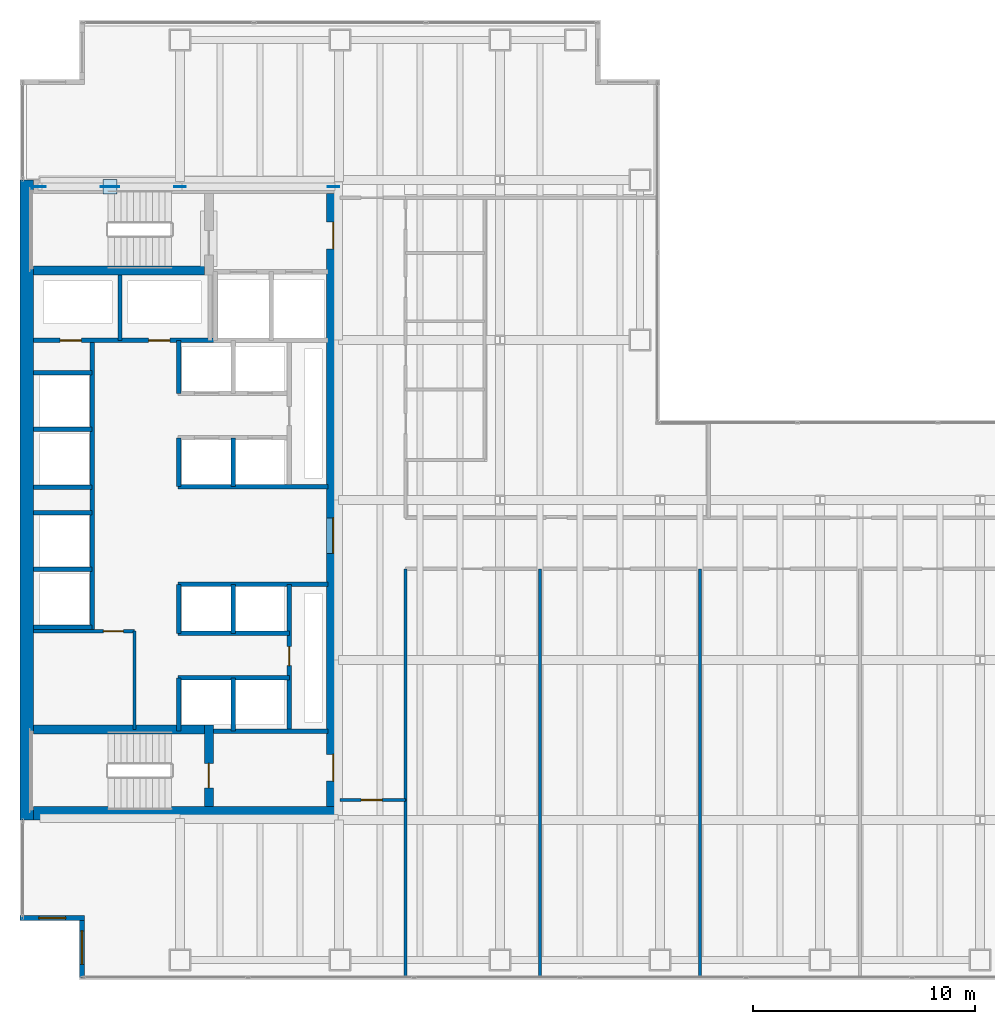
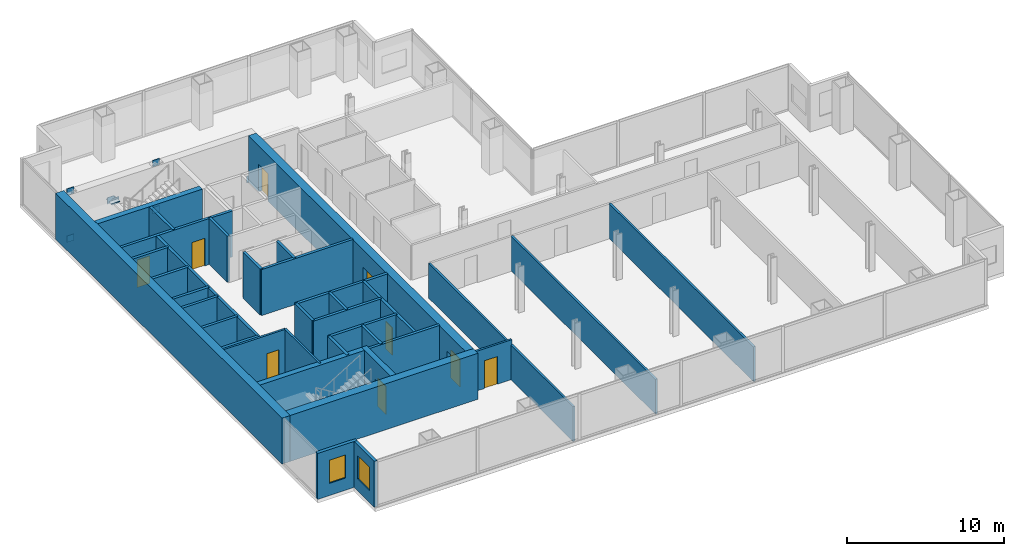
# One storey, part 20 of 23: 37 walls, 9 doors, 8 plates, 2 windows, 11 openings.
"""IFC4 building model written with IfcOpenShell, lengths in metres."""

from ifc_helpers import new_model, si_unit, direction, frame, frame_2d, origin, origin_2d, place, context, subcontext, project, spatial, rectangle, extrude, material, layer, layer_set, type_object, element, fill, save


model = new_model("IFC4")

# Units and contexts
model_context = context("Model", 3, precision=1e-05, world=origin(), true_north=direction((0.0, 1.0)))
body_context = subcontext(model_context, "Body", "Model", "MODEL_VIEW")
ifc_project = project(units=[si_unit("LENGTHUNIT", "METRE"), si_unit("AREAUNIT", "SQUARE_METRE"), si_unit("VOLUMEUNIT", "CUBIC_METRE"), si_unit("PLANEANGLEUNIT", "RADIAN"), si_unit("MASSUNIT", "GRAM", prefix="KILO")], contexts=[model_context])

# Site, building, storey
site_placement = place(None, origin())
site = spatial("IfcSite", under=ifc_project, at=site_placement, CompositionType="ELEMENT")
building_placement = place(site_placement, origin())
building = spatial("IfcBuilding", under=site, at=building_placement, Name="Cobrela Telecom Tower", CompositionType="ELEMENT")
storey_placement = place(building_placement, frame((0.0, 0.0, 50.39990234375)))
storey = spatial("IfcBuildingStorey", under=building, at=storey_placement, Name="L12", CompositionType="ELEMENT", Elevation=50.39990234375)

# Plates
ifc_material_1 = material(Name="Steel ASTM A572 Grade 50", Category="steel")
ifc_layer_1 = layer(ifc_material_1, 0.0419921875)
ifc_layer_set_1 = layer_set([ifc_layer_1], Name="Steel ASTM A572 Grade 50")
plate_type = type_object("IfcPlateType", Name="PLT-NODE-ND1", PredefinedType="USERDEFINED", material=ifc_layer_set_1)
for number, where, z_axis, x_axis, name in (
    (1, (0.89990234375, 35.699951171875, -0.294921875), (0.0, 0.0, 1.0), (1.0, 0.0, 0.0), "Steel node plate PLT-MBR-EXO-L12-N1-A-0"),
    (2, (7.199951171875, 35.699951171875, 3.35498046875), (0.0, 0.0, 1.0), (1.0, 0.0, 0.0), "Steel node plate PLT-MBR-EXO-L12-N1-A-1"),
    (3, (7.199951171875, 35.699951171875, -0.294921875), (0.0, 0.0, 1.0), (-1.0, 0.0, 0.0), "Steel node plate PLT-MBR-EXO-L12-N1-B1-0"),
    (4, (4.219482421875, 35.699951171875, 1.431640625), (0.0, 0.0, 1.0), (-1.0, 0.0, 0.0), "Steel node plate PLT-MBR-EXO-L12-N1-B1-1"),
    (5, (3.88037109375, 35.699951171875, 1.62841796875), (0.0, 0.0, 1.0), (-1.0, 0.0, 0.0), "Steel node plate PLT-MBR-EXO-L12-N1-B2-0"),
    (6, (0.89990234375, 35.699951171875, 3.35498046875), (0.0, 0.0, 1.0), (-1.0, 0.0, 0.0), "Steel node plate PLT-MBR-EXO-L12-N1-B2-1"),
):
    element("IfcPlate", number, at=place(storey_placement, frame(where, z_axis=z_axis, x_axis=x_axis)), inside=storey, type_object=plate_type, Name=name, ObjectType="GUSSET PLATE", PredefinedType="USERDEFINED", context=body_context, shape_type="SweptSolid", body=[
        extrude(rectangle(XDim=0.510009765625, YDim=0.044921875, at=origin_2d()), origin(), (0.0, 0.0, 1.0), 0.510009765625),
    ])
plate_1_placement = place(storey_placement, frame((4.050048828125, 35.699951171875, 1.7626953125), z_axis=(0.0, 0.0, 1.0), x_axis=(1.0, 0.0, 0.0)))
element("IfcPlate", 7, at=plate_1_placement, inside=storey, type_object=plate_type, Name="L12 Core Flange Steel X-Brace Central X-Crossing Gusset Plate", ObjectType="GUSSET PLATE", PredefinedType="USERDEFINED", context=body_context, shape_type="SweptSolid", body=[
    extrude(rectangle(XDim=0.64990234375, YDim=0.64990234375, at=origin_2d()), origin(), (0.0, 0.0, 1.0), 0.044921875),
])
plate_2_placement = place(storey_placement, frame((14.10009765625, 35.699951171875, -0.294921875), z_axis=(0.0, 0.0, 1.0), x_axis=(-1.0, 0.0, 0.0)))
element("IfcPlate", 8, at=plate_2_placement, inside=storey, type_object=plate_type, Name="Steel node plate PLT-MBR-EXO-L12-N2-0", ObjectType="GUSSET PLATE", PredefinedType="USERDEFINED", context=body_context, shape_type="SweptSolid", body=[
    extrude(rectangle(XDim=0.510009765625, YDim=0.044921875, at=origin_2d()), origin(), (0.0, 0.0, 1.0), 0.510009765625),
])

# Walls
ifc_material_2 = material(Name="Concrete C50/60", Category="concrete")
ifc_layer_2 = layer(ifc_material_2, 0.60009765625)
ifc_layer_set_2 = layer_set([ifc_layer_2], Name="Concrete C50/60")
wall_type_1 = type_object("IfcWallType", Name="WALL-CORE-C50-600", PredefinedType="SHEAR", material=ifc_layer_set_2)
wall_1_placement = place(storey_placement, frame((0.300048828125, 7.199951171875, 0.0), z_axis=(0.0, 0.0, 1.0), x_axis=(0.0, 1.0, 0.0)))
element("IfcWall", 9, at=wall_1_placement, inside=storey, type_object=wall_type_1, Name="L12 West Core Shear Wall", PredefinedType="SHEAR", context=body_context, shape_type="SweptSolid", body=[
    extrude(rectangle(XDim=28.800048828125, YDim=0.60009765625, at=frame_2d((14.39990234375, 0.0))), origin(), (0.0, 0.0, 1.0), 3.570068359375),
])
wall_2_placement = place(storey_placement, frame((0.60009765625, 7.5, 0.0), z_axis=(0.0, 0.0, 1.0), x_axis=(1.0, 0.0, 0.0)))
element("IfcWall", 10, at=wall_2_placement, inside=storey, type_object=wall_type_1, Name="L12 South Core Shear Wall", PredefinedType="SHEAR", context=body_context, shape_type="SweptSolid", body=[
    extrude(rectangle(XDim=13.7998046875, YDim=0.60009765625, at=frame_2d((6.89990234375, 0.0))), origin(), (0.0, 0.0, 1.0), 3.570068359375),
])

# Wall, openings, doors
wall_3_placement = place(storey_placement, frame((14.10009765625, 35.39990234375, 0.0), z_axis=(0.0, 0.0, 1.0), x_axis=(0.0, -1.0, 0.0)))
wall_3 = element("IfcWall", 11, at=wall_3_placement, inside=storey, type_object=wall_type_1, Name="L12 East Core Shear Wall", PredefinedType="SHEAR", context=body_context, shape_type="SweptSolid", body=[
    extrude(rectangle(XDim=27.599853515625, YDim=0.60009765625, at=frame_2d((13.7998046875, 0.0))), origin(), (0.0, 0.0, 1.0), 3.570068359375),
])
opening_1_placement = place(wall_3_placement, frame((1.300048828125, 0.0, 0.0)))
opening_1 = element("IfcOpeningElement", 12, at=opening_1_placement, cuts=wall_3, Name="Opening DR-19", PredefinedType="OPENING", context=body_context, shape_type="SweptSolid", body=[
    extrude(rectangle(XDim=1.199951171875, YDim=2.14990234375, at=frame_2d((0.60009765625, 1.074951171875))), frame((0.0, 0.31201171875, 0.0), z_axis=(0.0, -1.0, 0.0), x_axis=(1.0, 0.0, 0.0)), (0.0, 0.0, 1.0), 0.6240234375),
])
opening_2_placement = place(wall_3_placement, frame((25.25, 0.0, 0.0)))
opening_2 = element("IfcOpeningElement", 13, at=opening_2_placement, cuts=wall_3, Name="Opening DR-19", PredefinedType="OPENING", context=body_context, shape_type="SweptSolid", body=[
    extrude(rectangle(XDim=1.199951171875, YDim=2.14990234375, at=frame_2d((0.60009765625, 1.074951171875))), frame((0.0, 0.31201171875, 0.0), z_axis=(0.0, -1.0, 0.0), x_axis=(1.0, 0.0, 0.0)), (0.0, 0.0, 1.0), 0.6240234375),
])
opening_3_placement = place(wall_3_placement, frame((14.60009765625, 0.0, 0.0)))
opening_3 = element("IfcOpeningElement", 14, at=opening_3_placement, cuts=wall_3, Name="Opening DR-51", PredefinedType="OPENING", context=body_context, shape_type="SweptSolid", body=[
    extrude(rectangle(XDim=1.60009765625, YDim=2.199951171875, at=frame_2d((0.800048828125, 1.10009765625))), frame((0.0, 0.31201171875, 0.0), z_axis=(0.0, -1.0, 0.0), x_axis=(1.0, 0.0, 0.0)), (0.0, 0.0, 1.0), 0.6240234375),
])
ifc_material_3 = material(Name="Steel ASTM A36", Category="steel")
door_type_1 = type_object("IfcDoorType", Name="DOOR-FD60-1200", OperationType="SINGLE_SWING_LEFT", PredefinedType="DOOR", material=ifc_material_3)
door_1_placement = place(opening_1_placement, origin())
door_1 = element("IfcDoor", 15, at=door_1_placement, inside=storey, type_object=door_type_1, Name="L12 Door DR-19", OperationType="SINGLE_SWING_LEFT", OverallHeight=2.14990234375, OverallWidth=1.199951171875, PredefinedType="DOOR", context=body_context, shape_type="SweptSolid", body=[
    extrude(rectangle(XDim=1.199951171875, YDim=2.14990234375, at=frame_2d((0.60009765625, 1.074951171875))), frame((0.0, 0.02490234375, 0.0), z_axis=(0.0, -1.0, 0.0), x_axis=(1.0, 0.0, 0.0)), (0.0, 0.0, 1.0), 0.050048828125),
])
fill(opening_1, door_1)
door_2_placement = place(opening_2_placement, origin())
door_2 = element("IfcDoor", 16, at=door_2_placement, inside=storey, type_object=door_type_1, Name="L12 Door DR-19", OperationType="SINGLE_SWING_RIGHT", OverallHeight=2.14990234375, OverallWidth=1.199951171875, PredefinedType="DOOR", context=body_context, shape_type="SweptSolid", body=[
    extrude(rectangle(XDim=1.199951171875, YDim=2.14990234375, at=frame_2d((0.60009765625, 1.074951171875))), frame((0.0, 0.02490234375, 0.0), z_axis=(0.0, -1.0, 0.0), x_axis=(1.0, 0.0, 0.0)), (0.0, 0.0, 1.0), 0.050048828125),
])
fill(opening_2, door_2)
door_type_2 = type_object("IfcDoorType", Name="DOOR-FD60-1600", OperationType="SINGLE_SWING_LEFT", PredefinedType="DOOR", material=ifc_material_3)
door_3_placement = place(opening_3_placement, origin())
door_3 = element("IfcDoor", 17, at=door_3_placement, inside=storey, type_object=door_type_2, Name="L12 Door DR-51", OperationType="DOUBLE_DOOR_SINGLE_SWING", OverallHeight=2.199951171875, OverallWidth=1.60009765625, PredefinedType="DOOR", context=body_context, shape_type="SweptSolid", body=[
    extrude(rectangle(XDim=1.60009765625, YDim=2.199951171875, at=frame_2d((0.800048828125, 1.10009765625))), frame((0.0, 0.02490234375, 0.0), z_axis=(0.0, -1.0, 0.0), x_axis=(1.0, 0.0, 0.0)), (0.0, 0.0, 1.0), 0.050048828125),
])
fill(opening_3, door_3)

# Wall, opening, window
ifc_material_4 = material(Name="Concrete C40/50", Category="concrete")
ifc_layer_3 = layer(ifc_material_4, 0.239990234375)
ifc_layer_set_3 = layer_set([ifc_layer_3], Name="Concrete C40/50")
wall_type_2 = type_object("IfcWallType", Name="WALL-EXT-300", PredefinedType="STANDARD", material=ifc_layer_set_3)
wall_4_placement = place(storey_placement, frame((2.7900390625, 0.1201171875, 0.0), z_axis=(0.0, 0.0, 1.0), x_axis=(0.0, 1.0, 0.0)))
wall_4 = element("IfcWall", 18, at=wall_4_placement, inside=storey, type_object=wall_type_2, Name="L12 Insulated Facade Wall 01", PredefinedType="STANDARD", context=body_context, shape_type="SweptSolid", body=[
    extrude(rectangle(XDim=2.669921875, YDim=0.239990234375, at=frame_2d((1.3349609375, 0.0))), origin(), (0.0, 0.0, 1.0), 3.570068359375),
])
opening_4_placement = place(wall_4_placement, frame((0.5849609375, 0.0, 0.949951171875)))
opening_4 = element("IfcOpeningElement", 19, at=opening_4_placement, cuts=wall_4, Name="Opening WN-45", PredefinedType="OPENING", context=body_context, shape_type="SweptSolid", body=[
    extrude(rectangle(XDim=1.5, YDim=1.800048828125, at=frame_2d((0.75, 0.89990234375))), frame((0.0, 0.1318359375, 0.0), z_axis=(0.0, -1.0, 0.0), x_axis=(1.0, 0.0, 0.0)), (0.0, 0.0, 1.0), 0.263916015625),
])
ifc_material_5 = material(Name="Solar-Control Bronze Low-E Glass", Category="glass")
window_type_1 = type_object("IfcWindowType", Name="WIN-MOD-1500", PartitioningType="SINGLE_PANEL", PredefinedType="WINDOW", material=ifc_material_5)
window_1_placement = place(opening_4_placement, origin())
window_1 = element("IfcWindow", 20, at=window_1_placement, inside=storey, type_object=window_type_1, Name="L12 Corner Notch Facade Window 050", OverallHeight=1.800048828125, OverallWidth=1.5, PartitioningType="SINGLE_PANEL", PredefinedType="WINDOW", context=body_context, shape_type="SweptSolid", body=[
    extrude(rectangle(XDim=1.5, YDim=1.800048828125, at=frame_2d((0.75, 0.89990234375))), frame((0.0, 0.030029296875, 0.0), z_axis=(0.0, -1.0, 0.0), x_axis=(1.0, 0.0, 0.0)), (0.0, 0.0, 1.0), 0.06005859375),
])
fill(opening_4, window_1)

wall_5_placement = place(storey_placement, frame((2.909912109375, 2.7900390625, 0.0), z_axis=(0.0, 0.0, 1.0), x_axis=(-1.0, 0.0, 0.0)))
wall_5 = element("IfcWall", 21, at=wall_5_placement, inside=storey, type_object=wall_type_2, Name="L12 Insulated Facade Wall 02", PredefinedType="STANDARD", context=body_context, shape_type="SweptSolid", body=[
    extrude(rectangle(XDim=2.909912109375, YDim=0.239990234375, at=frame_2d((1.455078125, 0.0))), origin(), (0.0, 0.0, 1.0), 3.570068359375),
])
opening_5_placement = place(wall_5_placement, frame((0.85498046875, 0.0, 0.949951171875)))
opening_5 = element("IfcOpeningElement", 22, at=opening_5_placement, cuts=wall_5, Name="Opening WN-19", PredefinedType="OPENING", context=body_context, shape_type="SweptSolid", body=[
    extrude(rectangle(XDim=1.199951171875, YDim=1.800048828125, at=frame_2d((0.60009765625, 0.89990234375))), frame((0.0, 0.1318359375, 0.0), z_axis=(0.0, -1.0, 0.0), x_axis=(1.0, 0.0, 0.0)), (0.0, 0.0, 1.0), 0.263916015625),
])
window_type_2 = type_object("IfcWindowType", Name="WIN-MOD-1200", PartitioningType="SINGLE_PANEL", PredefinedType="WINDOW", material=ifc_material_5)
window_2_placement = place(opening_5_placement, origin())
window_2 = element("IfcWindow", 23, at=window_2_placement, inside=storey, type_object=window_type_2, Name="L12 Corner Notch Facade Window 051", OverallHeight=1.800048828125, OverallWidth=1.199951171875, PartitioningType="SINGLE_PANEL", PredefinedType="WINDOW", context=body_context, shape_type="SweptSolid", body=[
    extrude(rectangle(XDim=1.199951171875, YDim=1.800048828125, at=frame_2d((0.60009765625, 0.89990234375))), frame((0.0, 0.030029296875, 0.0), z_axis=(0.0, -1.0, 0.0), x_axis=(1.0, 0.0, 0.0)), (0.0, 0.0, 1.0), 0.06005859375),
])
fill(opening_5, window_2)

# Wall, opening, door
ifc_material_6 = material(Name="Fire-Rated Gypsum Plasterboard")
ifc_layer_4 = layer(ifc_material_6, 0.14990234375)
ifc_layer_set_4 = layer_set([ifc_layer_4], Name="Fire-Rated Gypsum Plasterboard")
wall_type_3 = type_object("IfcWallType", Name="WALL-PART-150", PredefinedType="PARTITIONING", material=ifc_layer_set_4)
wall_6_placement = place(storey_placement, frame((0.60009765625, 15.699951171875, 0.0), z_axis=(0.0, 0.0, 1.0), x_axis=(1.0, 0.0, 0.0)))
wall_6 = element("IfcWall", 24, at=wall_6_placement, inside=storey, type_object=wall_type_3, Name="L12 Interior Partition CW-FLEX-N", PredefinedType="PARTITIONING", context=body_context, shape_type="SweptSolid", body=[
    extrude(rectangle(XDim=4.5498046875, YDim=0.14990234375, at=frame_2d((2.27490234375, 0.0))), origin(), (0.0, 0.0, 1.0), 3.570068359375),
])
opening_6_placement = place(wall_6_placement, frame((3.14990234375, 0.0, 0.0)))
opening_6 = element("IfcOpeningElement", 25, at=opening_6_placement, cuts=wall_6, Name="Opening DR-41", PredefinedType="OPENING", context=body_context, shape_type="SweptSolid", body=[
    extrude(rectangle(XDim=0.89990234375, YDim=2.14990234375, at=frame_2d((0.449951171875, 1.074951171875))), frame((0.0, 0.0869140625, 0.0), z_axis=(0.0, -1.0, 0.0), x_axis=(1.0, 0.0, 0.0)), (0.0, 0.0, 1.0), 0.173828125),
])
ifc_material_7 = material(Name="Solid Engineered Oak Timber", Category="wood")
door_type_3 = type_object("IfcDoorType", Name="DOOR-INT-900", OperationType="SINGLE_SWING_LEFT", PredefinedType="DOOR", material=ifc_material_7)
door_4_placement = place(opening_6_placement, origin())
door_4 = element("IfcDoor", 26, at=door_4_placement, inside=storey, type_object=door_type_3, Name="L12 Door DR-41", OperationType="SINGLE_SWING_LEFT", OverallHeight=2.14990234375, OverallWidth=0.89990234375, PredefinedType="DOOR", context=body_context, shape_type="SweptSolid", body=[
    extrude(rectangle(XDim=0.89990234375, YDim=2.14990234375, at=frame_2d((0.449951171875, 1.074951171875))), frame((0.0, 0.02490234375, 0.0), z_axis=(0.0, -1.0, 0.0), x_axis=(1.0, 0.0, 0.0)), (0.0, 0.0, 1.0), 0.050048828125),
])
fill(opening_6, door_4)

# Wall
wall_7_placement = place(storey_placement, frame((5.14990234375, 11.280029296875, 0.0), z_axis=(0.0, 0.0, 1.0), x_axis=(0.0, 1.0, 0.0)))
element("IfcWall", 27, at=wall_7_placement, inside=storey, type_object=wall_type_3, Name="L12 Interior Partition CW-FLEX-E", PredefinedType="PARTITIONING", context=body_context, shape_type="SweptSolid", body=[
    extrude(rectangle(XDim=4.419921875, YDim=0.14990234375, at=frame_2d((2.2099609375, 0.0))), origin(), (0.0, 0.0, 1.0), 3.570068359375),
])

# Wall, opening, door
wall_8_placement = place(storey_placement, frame((14.39990234375, 8.10009765625, 0.0), z_axis=(0.0, 0.0, 1.0), x_axis=(1.0, 0.0, 0.0)))
wall_8 = element("IfcWall", 28, at=wall_8_placement, inside=storey, type_object=wall_type_3, Name="L12 Interior Partition W-C-S0", PredefinedType="PARTITIONING", context=body_context, shape_type="SweptSolid", body=[
    extrude(rectangle(XDim=2.9501953125, YDim=0.14990234375, at=frame_2d((1.47509765625, 0.0))), origin(), (0.0, 0.0, 1.0), 3.088134765625),
])
opening_7_placement = place(wall_8_placement, frame((0.949951171875, 0.0, 0.0)))
opening_7 = element("IfcOpeningElement", 29, at=opening_7_placement, cuts=wall_8, Name="Opening DR-67", PredefinedType="OPENING", context=body_context, shape_type="SweptSolid", body=[
    extrude(rectangle(XDim=0.949951171875, YDim=2.14990234375, at=frame_2d((0.47509765625, 1.074951171875))), frame((0.0, 0.0869140625, 0.0), z_axis=(0.0, -1.0, 0.0), x_axis=(1.0, 0.0, 0.0)), (0.0, 0.0, 1.0), 0.173828125),
])
door_type_4 = type_object("IfcDoorType", Name="DOOR-INT-950", OperationType="SINGLE_SWING_LEFT", PredefinedType="DOOR", material=ifc_material_7)
door_5_placement = place(opening_7_placement, origin())
door_5 = element("IfcDoor", 30, at=door_5_placement, inside=storey, type_object=door_type_4, Name="L12 Door DR-67", OperationType="SINGLE_SWING_RIGHT", OverallHeight=2.14990234375, OverallWidth=0.949951171875, PredefinedType="DOOR", context=body_context, shape_type="SweptSolid", body=[
    extrude(rectangle(XDim=0.949951171875, YDim=2.14990234375, at=frame_2d((0.47509765625, 1.074951171875))), frame((0.0, 0.02490234375, 0.0), z_axis=(0.0, -1.0, 0.0), x_axis=(1.0, 0.0, 0.0)), (0.0, 0.0, 1.0), 0.050048828125),
])
fill(opening_7, door_5)

# Walls
wall_9_placement = place(storey_placement, frame((17.35009765625, 8.10009765625, 0.0), z_axis=(0.0, 0.0, 1.0), x_axis=(0.0, 1.0, 0.0)))
element("IfcWall", 31, at=wall_9_placement, inside=storey, type_object=wall_type_3, Name="L12 Interior Partition W-C-E1", PredefinedType="PARTITIONING", context=body_context, shape_type="SweptSolid", body=[
    extrude(rectangle(XDim=10.39990234375, YDim=0.14990234375, at=frame_2d((5.199951171875, 0.0))), origin(), (0.0, 0.0, 1.0), 2.69921875),
])
wall_10_placement = place(storey_placement, frame((17.35009765625, 0.1201171875, 0.0), z_axis=(0.0, 0.0, 1.0), x_axis=(0.0, 1.0, 0.0)))
element("IfcWall", 32, at=wall_10_placement, inside=storey, type_object=wall_type_3, Name="L12 Interior Partition W-SW-E", PredefinedType="PARTITIONING", context=body_context, shape_type="SweptSolid", body=[
    extrude(rectangle(XDim=7.97998046875, YDim=0.14990234375, at=frame_2d((3.989990234375, 0.0))), origin(), (0.0, 0.0, 1.0), 2.69921875),
])
for number, where, z_axis, x_axis, name in (
    (33, (23.39990234375, 0.1201171875, 0.0), (0.0, 0.0, 1.0), (0.0, 1.0, 0.0), "L12 Interior Partition W-SV-1"),
    (34, (30.60009765625, 0.1201171875, 0.0), (0.0, 0.0, 1.0), (0.0, 1.0, 0.0), "L12 Interior Partition W-SV-2"),
):
    element("IfcWall", number, at=place(storey_placement, frame(where, z_axis=z_axis, x_axis=x_axis)), inside=storey, type_object=wall_type_3, Name=name, PredefinedType="PARTITIONING", context=body_context, shape_type="SweptSolid", body=[
        extrude(rectangle(XDim=18.3798828125, YDim=0.14990234375, at=frame_2d((9.18994140625, 0.0))), origin(), (0.0, 0.0, 1.0), 2.69921875),
    ])
ifc_layer_5 = layer(ifc_material_6, 0.199951171875)
ifc_layer_set_5 = layer_set([ifc_layer_5], Name="Fire-Rated Gypsum Plasterboard")
wall_type_4 = type_object("IfcWallType", Name="WALL-SHAFT-200", PredefinedType="PARTITIONING", material=ifc_layer_set_5)
wall_11_placement = place(storey_placement, frame((8.699951171875, 11.199951171875, 0.0), z_axis=(0.0, 0.0, 1.0), x_axis=(1.0, 0.0, 0.0)))
element("IfcWall", 35, at=wall_11_placement, inside=storey, type_object=wall_type_4, Name="L12 Shaft Enclosure CW-ST2L-N", PredefinedType="PARTITIONING", context=body_context, shape_type="SweptSolid", body=[
    extrude(rectangle(XDim=5.150146484375, YDim=0.199951171875, at=frame_2d((2.5751953125, 0.0))), origin(), (0.0, 0.0, 1.0), 3.570068359375),
])

# Wall, openings, doors
wall_12_placement = place(storey_placement, frame((0.60009765625, 28.780029296875, 0.0), z_axis=(0.0, 0.0, 1.0), x_axis=(1.0, 0.0, 0.0)))
wall_12 = element("IfcWall", 36, at=wall_12_placement, inside=storey, type_object=wall_type_4, Name="L12 Shaft Enclosure CW-RIS-S", PredefinedType="PARTITIONING", context=body_context, shape_type="SweptSolid", body=[
    extrude(rectangle(XDim=8.179931640625, YDim=0.199951171875, at=frame_2d((4.08984375, 0.0))), origin(), (0.0, 0.0, 1.0), 3.570068359375),
])
opening_8_placement = place(wall_12_placement, frame((1.2099609375, 0.0, 0.0)))
opening_8 = element("IfcOpeningElement", 37, at=opening_8_placement, cuts=wall_12, Name="Opening DR-65", PredefinedType="OPENING", context=body_context, shape_type="SweptSolid", body=[
    extrude(rectangle(XDim=0.949951171875, YDim=2.14990234375, at=frame_2d((0.47509765625, 1.074951171875))), frame((0.0, 0.11181640625, 0.0), z_axis=(0.0, -1.0, 0.0), x_axis=(1.0, 0.0, 0.0)), (0.0, 0.0, 1.0), 0.223876953125),
])
opening_9_placement = place(wall_12_placement, frame((5.18994140625, 0.0, 0.0)))
opening_9 = element("IfcOpeningElement", 38, at=opening_9_placement, cuts=wall_12, Name="Opening DR-65", PredefinedType="OPENING", context=body_context, shape_type="SweptSolid", body=[
    extrude(rectangle(XDim=0.949951171875, YDim=2.14990234375, at=frame_2d((0.47509765625, 1.074951171875))), frame((0.0, 0.11181640625, 0.0), z_axis=(0.0, -1.0, 0.0), x_axis=(1.0, 0.0, 0.0)), (0.0, 0.0, 1.0), 0.223876953125),
])
door_type_5 = type_object("IfcDoorType", Name="DOOR-FD60-950", OperationType="SINGLE_SWING_LEFT", PredefinedType="DOOR", material=ifc_material_3)
door_6_placement = place(opening_8_placement, origin())
door_6 = element("IfcDoor", 39, at=door_6_placement, inside=storey, type_object=door_type_5, Name="L12 Door DR-65", OperationType="SINGLE_SWING_LEFT", OverallHeight=2.14990234375, OverallWidth=0.949951171875, PredefinedType="DOOR", context=body_context, shape_type="SweptSolid", body=[
    extrude(rectangle(XDim=0.949951171875, YDim=2.14990234375, at=frame_2d((0.47509765625, 1.074951171875))), frame((0.0, 0.02490234375, 0.0), z_axis=(0.0, -1.0, 0.0), x_axis=(1.0, 0.0, 0.0)), (0.0, 0.0, 1.0), 0.050048828125),
])
fill(opening_8, door_6)
door_7_placement = place(opening_9_placement, origin())
door_7 = element("IfcDoor", 40, at=door_7_placement, inside=storey, type_object=door_type_5, Name="L12 Door DR-65", OperationType="SINGLE_SWING_RIGHT", OverallHeight=2.14990234375, OverallWidth=0.949951171875, PredefinedType="DOOR", context=body_context, shape_type="SweptSolid", body=[
    extrude(rectangle(XDim=0.949951171875, YDim=2.14990234375, at=frame_2d((0.47509765625, 1.074951171875))), frame((0.0, 0.02490234375, 0.0), z_axis=(0.0, -1.0, 0.0), x_axis=(1.0, 0.0, 0.0)), (0.0, 0.0, 1.0), 0.050048828125),
])
fill(opening_9, door_7)

# Walls
wall_13_placement = place(storey_placement, frame((4.5, 28.780029296875, 0.0), z_axis=(0.0, 0.0, 1.0), x_axis=(0.0, 1.0, 0.0)))
element("IfcWall", 41, at=wall_13_placement, inside=storey, type_object=wall_type_4, Name="L12 Shaft Enclosure CW-RIS-M", PredefinedType="PARTITIONING", context=body_context, shape_type="SweptSolid", body=[
    extrude(rectangle(XDim=2.93994140625, YDim=0.199951171875, at=frame_2d((1.469970703125, 0.0))), origin(), (0.0, 0.0, 1.0), 3.570068359375),
])
wall_14_placement = place(storey_placement, frame((3.25, 15.699951171875, 0.0), z_axis=(0.0, 0.0, 1.0), x_axis=(0.0, 1.0, 0.0)))
element("IfcWall", 42, at=wall_14_placement, inside=storey, type_object=wall_type_4, Name="L12 Shaft Enclosure CW-PLH-E", PredefinedType="PARTITIONING", context=body_context, shape_type="SweptSolid", body=[
    extrude(rectangle(XDim=13.080078125, YDim=0.199951171875, at=frame_2d((6.5400390625, 0.0))), origin(), (0.0, 0.0, 1.0), 3.570068359375),
])
for number, where, z_axis, x_axis, name in (
    (43, (0.60009765625, 15.8798828125, 0.0), (0.0, 0.0, 1.0), (1.0, 0.0, 0.0), "L12 Shaft Enclosure CW-PLH-D9"),
    (44, (0.60009765625, 18.47998046875, 0.0), (0.0, 0.0, 1.0), (1.0, 0.0, 0.0), "L12 Shaft Enclosure CW-PLH-D10"),
    (45, (0.60009765625, 22.179931640625, 0.0), (0.0, 0.0, 1.0), (1.0, 0.0, 0.0), "L12 Shaft Enclosure CW-PLH-D11"),
    (46, (0.60009765625, 24.780029296875, 0.0), (0.0, 0.0, 1.0), (1.0, 0.0, 0.0), "L12 Shaft Enclosure CW-PLH-D12"),
    (47, (0.60009765625, 21.02001953125, 0.0), (0.0, 0.0, 1.0), (1.0, 0.0, 0.0), "L12 Shaft Enclosure CW-PLH-MID"),
    (48, (0.60009765625, 27.320068359375, 0.0), (0.0, 0.0, 1.0), (1.0, 0.0, 0.0), "L12 Shaft Enclosure CW-PLH-TOP"),
):
    element("IfcWall", number, at=place(storey_placement, frame(where, z_axis=z_axis, x_axis=x_axis)), inside=storey, type_object=wall_type_4, Name=name, PredefinedType="PARTITIONING", context=body_context, shape_type="SweptSolid", body=[
        extrude(rectangle(XDim=2.64990234375, YDim=0.199951171875, at=frame_2d((1.324951171875, 0.0))), origin(), (0.0, 0.0, 1.0), 3.570068359375),
    ])
wall_15_placement = place(storey_placement, frame((7.10009765625, 22.199951171875, 0.0), z_axis=(0.0, 0.0, 1.0), x_axis=(1.0, 0.0, 0.0)))
element("IfcWall", 49, at=wall_15_placement, inside=storey, type_object=wall_type_4, Name="L12 Shaft Enclosure CW-PLL-B0", PredefinedType="PARTITIONING", context=body_context, shape_type="SweptSolid", body=[
    extrude(rectangle(XDim=6.75, YDim=0.199951171875, at=frame_2d((3.375, 0.0))), origin(), (0.0, 0.0, 1.0), 3.570068359375),
])
wall_16_placement = place(storey_placement, frame((7.14990234375, 22.199951171875, 0.0), z_axis=(0.0, 0.0, 1.0), x_axis=(0.0, 1.0, 0.0)))
element("IfcWall", 50, at=wall_16_placement, inside=storey, type_object=wall_type_4, Name="L12 Shaft Enclosure CW-PLL-V1", PredefinedType="PARTITIONING", context=body_context, shape_type="SweptSolid", body=[
    extrude(rectangle(XDim=2.199951171875, YDim=0.199951171875, at=frame_2d((1.10009765625, 0.0))), origin(), (0.0, 0.0, 1.0), 3.570068359375),
])
wall_17_placement = place(storey_placement, frame((7.14990234375, 26.39990234375, 0.0), z_axis=(0.0, 0.0, 1.0), x_axis=(0.0, 1.0, 0.0)))
element("IfcWall", 51, at=wall_17_placement, inside=storey, type_object=wall_type_4, Name="L12 Shaft Enclosure CW-PLL-V1B", PredefinedType="PARTITIONING", context=body_context, shape_type="SweptSolid", body=[
    extrude(rectangle(XDim=2.380126953125, YDim=0.199951171875, at=frame_2d((1.18994140625, 0.0))), origin(), (0.0, 0.0, 1.0), 3.570068359375),
])
wall_18_placement = place(storey_placement, frame((9.60009765625, 22.199951171875, 0.0), z_axis=(0.0, 0.0, 1.0), x_axis=(0.0, 1.0, 0.0)))
element("IfcWall", 52, at=wall_18_placement, inside=storey, type_object=wall_type_4, Name="L12 Shaft Enclosure CW-PLL-V2", PredefinedType="PARTITIONING", context=body_context, shape_type="SweptSolid", body=[
    extrude(rectangle(XDim=2.199951171875, YDim=0.199951171875, at=frame_2d((1.10009765625, 0.0))), origin(), (0.0, 0.0, 1.0), 3.570068359375),
])
wall_19_placement = place(storey_placement, frame((7.10009765625, 17.800048828125, 0.0), z_axis=(0.0, 0.0, 1.0), x_axis=(1.0, 0.0, 0.0)))
element("IfcWall", 53, at=wall_19_placement, inside=storey, type_object=wall_type_4, Name="L12 Shaft Enclosure CW-PLM-T0", PredefinedType="PARTITIONING", context=body_context, shape_type="SweptSolid", body=[
    extrude(rectangle(XDim=6.75, YDim=0.199951171875, at=frame_2d((3.375, 0.0))), origin(), (0.0, 0.0, 1.0), 3.570068359375),
])
for number, where, z_axis, x_axis, name in (
    (54, (7.10009765625, 15.60009765625, 0.0), (0.0, 0.0, 1.0), (1.0, 0.0, 0.0), "L12 Shaft Enclosure CW-PLM-N"),
    (55, (7.10009765625, 13.60009765625, 0.0), (0.0, 0.0, 1.0), (1.0, 0.0, 0.0), "L12 Shaft Enclosure CW-PLM-S"),
):
    element("IfcWall", number, at=place(storey_placement, frame(where, z_axis=z_axis, x_axis=x_axis)), inside=storey, type_object=wall_type_4, Name=name, PredefinedType="PARTITIONING", context=body_context, shape_type="SweptSolid", body=[
        extrude(rectangle(XDim=5.02001953125, YDim=0.199951171875, at=frame_2d((2.510009765625, 0.0))), origin(), (0.0, 0.0, 1.0), 3.570068359375),
    ])
wall_20_placement = place(storey_placement, frame((7.14990234375, 15.60009765625, 0.0), z_axis=(0.0, 0.0, 1.0), x_axis=(0.0, 1.0, 0.0)))
element("IfcWall", 56, at=wall_20_placement, inside=storey, type_object=wall_type_4, Name="L12 Shaft Enclosure CW-PLM-V1", PredefinedType="PARTITIONING", context=body_context, shape_type="SweptSolid", body=[
    extrude(rectangle(XDim=2.199951171875, YDim=0.199951171875, at=frame_2d((1.10009765625, 0.0))), origin(), (0.0, 0.0, 1.0), 3.570068359375),
])
wall_21_placement = place(storey_placement, frame((7.14990234375, 11.199951171875, 0.0), z_axis=(0.0, 0.0, 1.0), x_axis=(0.0, 1.0, 0.0)))
element("IfcWall", 57, at=wall_21_placement, inside=storey, type_object=wall_type_4, Name="L12 Shaft Enclosure CW-PLM-V1B", PredefinedType="PARTITIONING", context=body_context, shape_type="SweptSolid", body=[
    extrude(rectangle(XDim=2.400146484375, YDim=0.199951171875, at=frame_2d((1.2001953125, 0.0))), origin(), (0.0, 0.0, 1.0), 3.570068359375),
])
wall_22_placement = place(storey_placement, frame((9.60009765625, 15.60009765625, 0.0), z_axis=(0.0, 0.0, 1.0), x_axis=(0.0, 1.0, 0.0)))
element("IfcWall", 58, at=wall_22_placement, inside=storey, type_object=wall_type_4, Name="L12 Shaft Enclosure CW-PLM-V2", PredefinedType="PARTITIONING", context=body_context, shape_type="SweptSolid", body=[
    extrude(rectangle(XDim=2.199951171875, YDim=0.199951171875, at=frame_2d((1.10009765625, 0.0))), origin(), (0.0, 0.0, 1.0), 3.570068359375),
])
wall_23_placement = place(storey_placement, frame((9.60009765625, 11.199951171875, 0.0), z_axis=(0.0, 0.0, 1.0), x_axis=(0.0, 1.0, 0.0)))
element("IfcWall", 59, at=wall_23_placement, inside=storey, type_object=wall_type_4, Name="L12 Shaft Enclosure CW-PLM-V2B", PredefinedType="PARTITIONING", context=body_context, shape_type="SweptSolid", body=[
    extrude(rectangle(XDim=2.400146484375, YDim=0.199951171875, at=frame_2d((1.2001953125, 0.0))), origin(), (0.0, 0.0, 1.0), 3.570068359375),
])

# Wall, opening, door
wall_24_placement = place(storey_placement, frame((12.1201171875, 11.199951171875, 0.0), z_axis=(0.0, 0.0, 1.0), x_axis=(0.0, 1.0, 0.0)))
wall_24 = element("IfcWall", 60, at=wall_24_placement, inside=storey, type_object=wall_type_4, Name="L12 Shaft Enclosure CW-PLM-V3", PredefinedType="PARTITIONING", context=body_context, shape_type="SweptSolid", body=[
    extrude(rectangle(XDim=6.60009765625, YDim=0.199951171875, at=frame_2d((3.300048828125, 0.0))), origin(), (0.0, 0.0, 1.0), 3.570068359375),
])
opening_10_placement = place(wall_24_placement, frame((2.949951171875, 0.0, 0.0)))
opening_10 = element("IfcOpeningElement", 61, at=opening_10_placement, cuts=wall_24, Name="Opening DR-11", PredefinedType="OPENING", context=body_context, shape_type="SweptSolid", body=[
    extrude(rectangle(XDim=0.85009765625, YDim=2.14990234375, at=frame_2d((0.425048828125, 1.074951171875))), frame((0.0, 0.11181640625, 0.0), z_axis=(0.0, -1.0, 0.0), x_axis=(1.0, 0.0, 0.0)), (0.0, 0.0, 1.0), 0.223876953125),
])
door_type_6 = type_object("IfcDoorType", Name="DOOR-INT-850", OperationType="SINGLE_SWING_LEFT", PredefinedType="DOOR", material=ifc_material_7)
door_8_placement = place(opening_10_placement, origin())
door_8 = element("IfcDoor", 62, at=door_8_placement, inside=storey, type_object=door_type_6, Name="L12 Door DR-11", OperationType="SINGLE_SWING_RIGHT", OverallHeight=2.14990234375, OverallWidth=0.85009765625, PredefinedType="DOOR", context=body_context, shape_type="SweptSolid", body=[
    extrude(rectangle(XDim=0.85009765625, YDim=2.14990234375, at=frame_2d((0.425048828125, 1.074951171875))), frame((0.0, 0.02490234375, 0.0), z_axis=(0.0, -1.0, 0.0), x_axis=(1.0, 0.0, 0.0)), (0.0, 0.0, 1.0), 0.050048828125),
])
fill(opening_10, door_8)

# Walls
ifc_layer_6 = layer(ifc_material_4, 0.39990234375)
ifc_layer_set_6 = layer_set([ifc_layer_6], Name="Concrete C40/50")
wall_type_5 = type_object("IfcWallType", Name="WALL-SHAFT-C40-400", PredefinedType="SHEAR", material=ifc_layer_set_6)
for number, where, z_axis, x_axis, name in (
    (63, (0.60009765625, 31.919921875, 0.0), (0.0, 0.0, 1.0), (1.0, 0.0, 0.0), "L12 North Stair Shear Wall"),
    (64, (0.60009765625, 11.280029296875, 0.0), (0.0, 0.0, 1.0), (1.0, 0.0, 0.0), "L12 South Stair Shear Wall"),
):
    element("IfcWall", number, at=place(storey_placement, frame(where, z_axis=z_axis, x_axis=x_axis)), inside=storey, type_object=wall_type_5, Name=name, PredefinedType="SHEAR", context=body_context, shape_type="SweptSolid", body=[
        extrude(rectangle(XDim=7.699951171875, YDim=0.39990234375, at=frame_2d((3.85009765625, 0.0))), origin(), (0.0, 0.0, 1.0), 3.570068359375),
    ])

# Wall, opening, door
wall_25_placement = place(storey_placement, frame((8.5, 7.800048828125, 0.0), z_axis=(0.0, 0.0, 1.0), x_axis=(0.0, 1.0, 0.0)))
wall_25 = element("IfcWall", 65, at=wall_25_placement, inside=storey, type_object=wall_type_5, Name="L12 South Stair Lobby Shear Wall", PredefinedType="SHEAR", context=body_context, shape_type="SweptSolid", body=[
    extrude(rectangle(XDim=3.679931640625, YDim=0.39990234375, at=frame_2d((1.83984375, 0.0))), origin(), (0.0, 0.0, 1.0), 3.570068359375),
])
opening_11_placement = place(wall_25_placement, frame((0.85009765625, 0.0, 0.0)))
opening_11 = element("IfcOpeningElement", 66, at=opening_11_placement, cuts=wall_25, Name="Opening FD-90", PredefinedType="OPENING", context=body_context, shape_type="SweptSolid", body=[
    extrude(rectangle(XDim=1.10009765625, YDim=2.14990234375, at=frame_2d((0.550048828125, 1.074951171875))), frame((0.0, 0.2119140625, 0.0), z_axis=(0.0, -1.0, 0.0), x_axis=(1.0, 0.0, 0.0)), (0.0, 0.0, 1.0), 0.423828125),
])
door_type_7 = type_object("IfcDoorType", Name="DOOR-FD90-1100", OperationType="SINGLE_SWING_LEFT", PredefinedType="DOOR", material=ifc_material_3)
door_9_placement = place(opening_11_placement, origin())
door_9 = element("IfcDoor", 67, at=door_9_placement, inside=storey, type_object=door_type_7, Name="L12 Door FD-90", OperationType="SINGLE_SWING_LEFT", OverallHeight=2.14990234375, OverallWidth=1.10009765625, PredefinedType="DOOR", context=body_context, shape_type="SweptSolid", body=[
    extrude(rectangle(XDim=1.10009765625, YDim=2.14990234375, at=frame_2d((0.550048828125, 1.074951171875))), frame((0.0, 0.02490234375, 0.0), z_axis=(0.0, -1.0, 0.0), x_axis=(1.0, 0.0, 0.0)), (0.0, 0.0, 1.0), 0.050048828125),
])
fill(opening_11, door_9)

save(model, "model.ifc")
